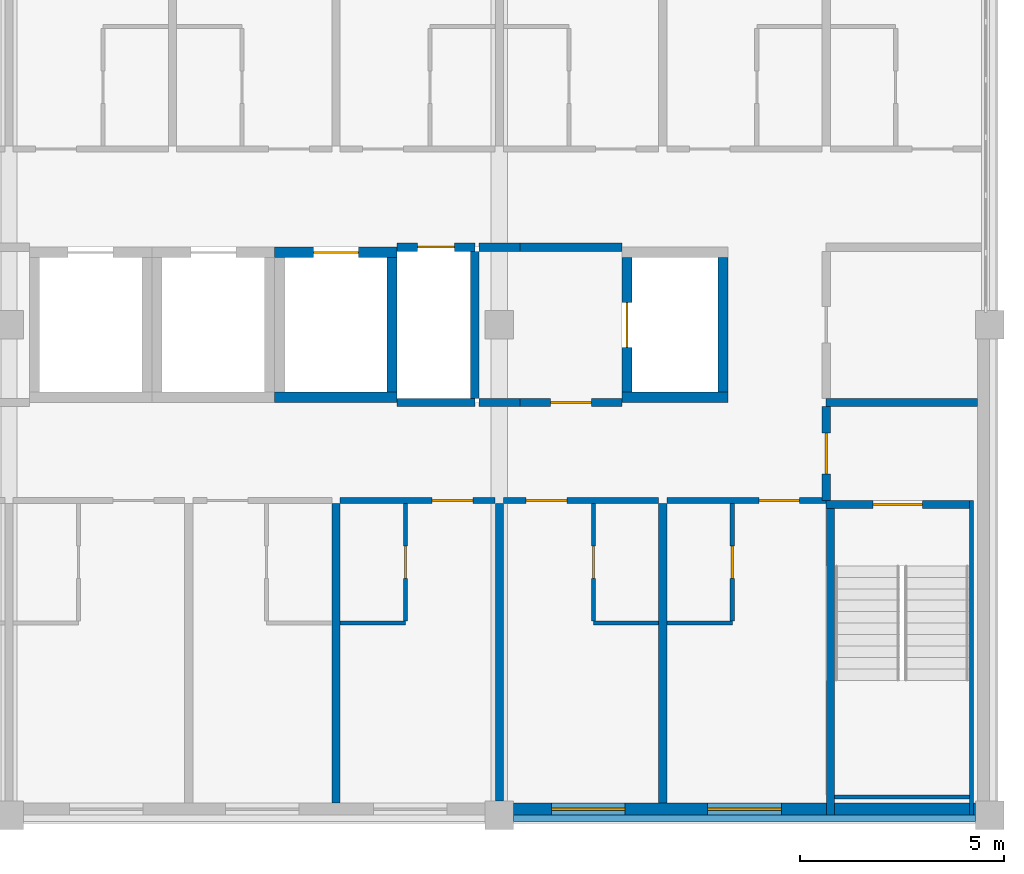
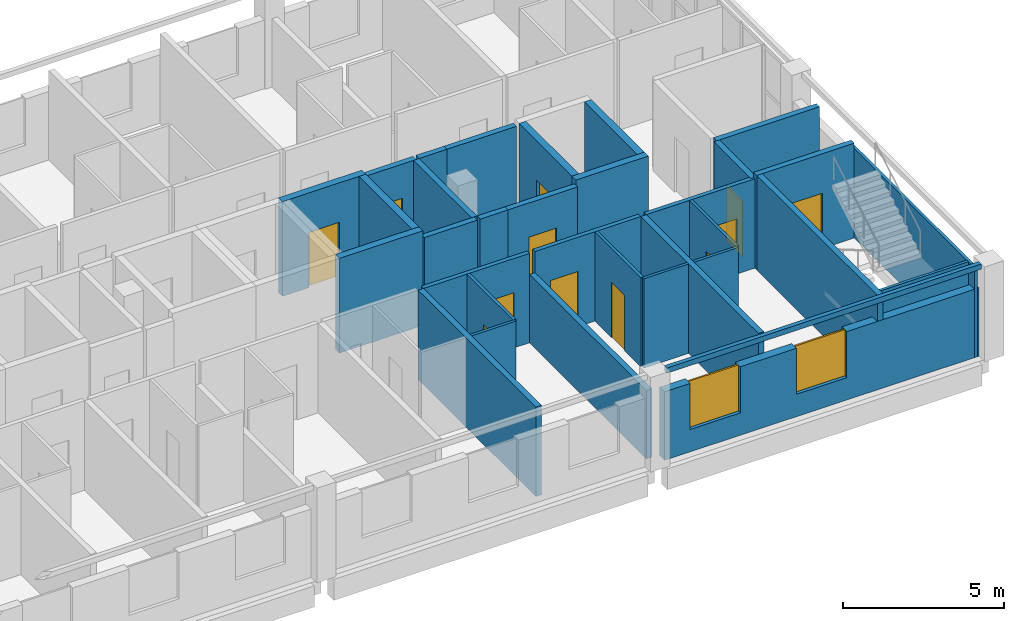
# One storey, part 9 of 11: 33 walls, 12 doors, 2 windows, 14 openings.
"""IFC4 building model written with IfcOpenShell, lengths in metres."""

from ifc_helpers import new_model, si_unit, direction, frame, frame_2d, origin, place, context, subcontext, project, spatial, rectangle, extrude, material, layer, layer_set, type_object, element, fill, save


model = new_model("IFC4")

# Units and contexts
model_context = context("Model", 3, precision=1e-05, world=origin(), true_north=direction((0.0, 1.0)))
body_context = subcontext(model_context, "Body", "Model", "MODEL_VIEW")
ifc_project = project(units=[si_unit("LENGTHUNIT", "METRE"), si_unit("AREAUNIT", "SQUARE_METRE"), si_unit("VOLUMEUNIT", "CUBIC_METRE"), si_unit("PLANEANGLEUNIT", "RADIAN"), si_unit("MASSUNIT", "GRAM", prefix="KILO")], contexts=[model_context])

# Site, building, storey
site_placement = place(None, origin())
site = spatial("IfcSite", under=ifc_project, at=site_placement, CompositionType="ELEMENT")
building_placement = place(site_placement, origin())
building = spatial("IfcBuilding", under=site, at=building_placement, Name="Lilac Gate Convention Centre", CompositionType="ELEMENT")
storey_placement = place(building_placement, frame((0.0, 0.0, 57.0)))
storey = spatial("IfcBuildingStorey", under=building, at=storey_placement, Name="L14", CompositionType="ELEMENT", Elevation=57.0)

# Walls
ifc_material_1 = material(Name="Concrete C40", Category="concrete")
ifc_layer_1 = layer(ifc_material_1, 0.10009765625)
ifc_layer_set_1 = layer_set([ifc_layer_1], Name="Concrete C40")
wall_type_1 = type_object("IfcWallType", Name="Core wall 100 C40", PredefinedType="SHEAR", material=ifc_layer_set_1)
wall_1_placement = place(storey_placement, frame((89.550048828125, 229.699951171875, 0.0), z_axis=(0.0, 0.0, 1.0), x_axis=(0.0, -1.0, 0.0)))
element("IfcWall", 1, at=wall_1_placement, inside=storey, type_object=wall_type_1, Name="CRW10 core wall TS-EX L14 1", PredefinedType="SHEAR", context=body_context, shape_type="SweptSolid", body=[
    extrude(rectangle(XDim=7.699951171875, YDim=0.10009765625, at=frame_2d((3.85009765625, 0.0))), origin(), (0.0, 0.0, 1.0), 3.39990234375),
])
wall_2_placement = place(storey_placement, frame((89.5, 222.449951171875, 0.0), z_axis=(0.0, 0.0, 1.0), x_axis=(-1.0, 0.0, 0.0)))
element("IfcWall", 2, at=wall_2_placement, inside=storey, type_object=wall_type_1, Name="CRW10 core wall TS-EX L14 2", PredefinedType="SHEAR", context=body_context, shape_type="SweptSolid", body=[
    extrude(rectangle(XDim=3.300048828125, YDim=0.10009765625, at=frame_2d((1.64990234375, 0.0))), origin(), (0.0, 0.0, 1.0), 3.39990234375),
])

# Wall, opening, door
ifc_layer_2 = layer(ifc_material_1, 0.199951171875)
ifc_layer_set_2 = layer_set([ifc_layer_2], Name="Concrete C40")
wall_type_2 = type_object("IfcWallType", Name="Core wall 200 C40", PredefinedType="SHEAR", material=ifc_layer_set_2)
wall_3_placement = place(storey_placement, frame((89.5, 229.60009765625, 0.0), z_axis=(0.0, 0.0, 1.0), x_axis=(-1.0, 0.0, 0.0)))
wall_3 = element("IfcWall", 3, at=wall_3_placement, inside=storey, type_object=wall_type_2, Name="CRW7 core wall TS-E L14 1", PredefinedType="SHEAR", context=body_context, shape_type="SweptSolid", body=[
    extrude(rectangle(XDim=3.5, YDim=0.199951171875, at=frame_2d((1.75, 0.0))), origin(), (0.0, 0.0, 1.0), 3.60009765625),
])
opening_1_placement = place(wall_3_placement, frame((1.14990234375, 0.0, 0.0)))
opening_1 = element("IfcOpeningElement", 4, at=opening_1_placement, cuts=wall_3, Name="Opening T13-057", PredefinedType="OPENING", context=body_context, shape_type="SweptSolid", body=[
    extrude(rectangle(XDim=1.199951171875, YDim=2.10009765625, at=frame_2d((0.60009765625, 1.050048828125))), frame((0.0, 0.10986328125, 0.0), z_axis=(0.0, -1.0, 0.0), x_axis=(1.0, 0.0, 0.0)), (0.0, 0.0, 1.0), 0.219970703125),
])
ifc_material_2 = material(Name="Steel Q235B", Category="steel")
door_type_1 = type_object("IfcDoorType", Name="Stair door 1200", OperationType="SINGLE_SWING_LEFT", PredefinedType="DOOR", material=ifc_material_2)
door_1_placement = place(opening_1_placement, origin())
door_1 = element("IfcDoor", 5, at=door_1_placement, inside=storey, type_object=door_type_1, Name="Stair door SE L14", OperationType="SINGLE_SWING_RIGHT", OverallHeight=2.10009765625, OverallWidth=1.199951171875, PredefinedType="DOOR", context=body_context, shape_type="SweptSolid", body=[
    extrude(rectangle(XDim=1.199951171875, YDim=2.10009765625, at=frame_2d((0.60009765625, 1.050048828125))), frame((0.0, 0.02490234375, 0.0), z_axis=(0.0, -1.0, 0.0), x_axis=(1.0, 0.0, 0.0)), (0.0, 0.0, 1.0), 0.050048828125),
])
fill(opening_1, door_1)

# Walls
wall_4_placement = place(storey_placement, frame((86.10009765625, 222.0, 0.0), z_axis=(0.0, 0.0, 1.0), x_axis=(0.0, 1.0, 0.0)))
element("IfcWall", 6, at=wall_4_placement, inside=storey, type_object=wall_type_2, Name="CRW7 core wall TS-E L14 2", PredefinedType="SHEAR", context=body_context, shape_type="SweptSolid", body=[
    extrude(rectangle(XDim=7.5, YDim=0.199951171875, at=frame_2d((3.75, 0.0))), origin(), (0.0, 0.0, 1.0), 3.60009765625),
])
ifc_layer_3 = layer(ifc_material_1, 0.25)
ifc_layer_set_3 = layer_set([ifc_layer_3], Name="Concrete C40")
wall_type_3 = type_object("IfcWallType", Name="Core wall 250 C40", PredefinedType="SHEAR", material=ifc_layer_set_3)
wall_5_placement = place(storey_placement, frame((72.5, 232.22509765625, 0.0), z_axis=(0.0, 0.0, 1.0), x_axis=(1.0, 0.0, 0.0)))
element("IfcWall", 7, at=wall_5_placement, inside=storey, type_object=wall_type_3, Name="CRW5 core wall TC L14 21", PredefinedType="SHEAR", context=body_context, shape_type="SweptSolid", body=[
    extrude(rectangle(XDim=3.0, YDim=0.25, at=frame_2d((1.5, 0.0))), origin(), (0.0, 0.0, 1.0), 3.60009765625),
])

# Wall, opening, door
wall_6_placement = place(storey_placement, frame((72.5, 235.77490234375, 0.0), z_axis=(0.0, 0.0, 1.0), x_axis=(1.0, 0.0, 0.0)))
wall_6 = element("IfcWall", 8, at=wall_6_placement, inside=storey, type_object=wall_type_3, Name="CRW5 core wall TC L14 22", PredefinedType="SHEAR", context=body_context, shape_type="SweptSolid", body=[
    extrude(rectangle(XDim=3.0, YDim=0.25, at=frame_2d((1.5, 0.0))), origin(), (0.0, 0.0, 1.0), 3.60009765625),
])
opening_2_placement = place(wall_6_placement, frame((0.949951171875, 0.0, 0.0)))
opening_2 = element("IfcOpeningElement", 9, at=opening_2_placement, cuts=wall_6, Name="Opening T13-052", PredefinedType="OPENING", context=body_context, shape_type="SweptSolid", body=[
    extrude(rectangle(XDim=1.10009765625, YDim=2.10009765625, at=frame_2d((0.550048828125, 1.050048828125))), frame((0.0, 0.135009765625, 0.0), z_axis=(0.0, -1.0, 0.0), x_axis=(1.0, 0.0, 0.0)), (0.0, 0.0, 1.0), 0.27001953125),
])
ifc_material_3 = material(Name="Stainless steel 304", Category="steel")
door_type_2 = type_object("IfcDoorType", Name="Lift landing door 1100", OperationType="SLIDING_TO_LEFT", PredefinedType="DOOR", material=ifc_material_3)
door_2_placement = place(opening_2_placement, origin())
door_2 = element("IfcDoor", 10, at=door_2_placement, inside=storey, type_object=door_type_2, Name="Lift landing door TP6 L14", OperationType="SLIDING_TO_LEFT", OverallHeight=2.10009765625, OverallWidth=1.10009765625, PredefinedType="DOOR", context=body_context, shape_type="SweptSolid", body=[
    extrude(rectangle(XDim=1.10009765625, YDim=2.10009765625, at=frame_2d((0.550048828125, 1.050048828125))), frame((0.0, 0.02490234375, 0.0), z_axis=(0.0, -1.0, 0.0), x_axis=(1.0, 0.0, 0.0)), (0.0, 0.0, 1.0), 0.050048828125),
])
fill(opening_2, door_2)

# Walls
wall_7_placement = place(storey_placement, frame((75.375, 232.35009765625, 0.0), z_axis=(0.0, 0.0, 1.0), x_axis=(0.0, 1.0, 0.0)))
element("IfcWall", 11, at=wall_7_placement, inside=storey, type_object=wall_type_3, Name="CRW5 core wall TC L14 24", PredefinedType="SHEAR", context=body_context, shape_type="SweptSolid", body=[
    extrude(rectangle(XDim=3.2998046875, YDim=0.25, at=frame_2d((1.64990234375, 0.0))), origin(), (0.0, 0.0, 1.0), 3.60009765625),
])
wall_8_placement = place(storey_placement, frame((81.0, 232.22509765625, 0.0), z_axis=(0.0, 0.0, 1.0), x_axis=(1.0, 0.0, 0.0)))
element("IfcWall", 12, at=wall_8_placement, inside=storey, type_object=wall_type_3, Name="CRW5 core wall TC L14 33", PredefinedType="SHEAR", context=body_context, shape_type="SweptSolid", body=[
    extrude(rectangle(XDim=2.60009765625, YDim=0.25, at=frame_2d((1.300048828125, 0.0))), origin(), (0.0, 0.0, 1.0), 3.60009765625),
])

# Wall, opening, door
wall_9_placement = place(storey_placement, frame((81.125, 232.35009765625, 0.0), z_axis=(0.0, 0.0, 1.0), x_axis=(0.0, 1.0, 0.0)))
wall_9 = element("IfcWall", 13, at=wall_9_placement, inside=storey, type_object=wall_type_3, Name="CRW5 core wall TC L14 35", PredefinedType="SHEAR", context=body_context, shape_type="SweptSolid", body=[
    extrude(rectangle(XDim=3.2998046875, YDim=0.25, at=frame_2d((1.64990234375, 0.0))), origin(), (0.0, 0.0, 1.0), 3.60009765625),
])
opening_3_placement = place(wall_9_placement, frame((1.10009765625, 0.0, 0.0)))
opening_3 = element("IfcOpeningElement", 14, at=opening_3_placement, cuts=wall_9, Name="Opening T13-055", PredefinedType="OPENING", context=body_context, shape_type="SweptSolid", body=[
    extrude(rectangle(XDim=1.10009765625, YDim=2.10009765625, at=frame_2d((0.550048828125, 1.050048828125))), frame((0.0, 0.135009765625, 0.0), z_axis=(0.0, -1.0, 0.0), x_axis=(1.0, 0.0, 0.0)), (0.0, 0.0, 1.0), 0.27001953125),
])
door_3_placement = place(opening_3_placement, origin())
door_3 = element("IfcDoor", 15, at=door_3_placement, inside=storey, type_object=door_type_2, Name="Lift landing door TF1 L14", OperationType="SLIDING_TO_LEFT", OverallHeight=2.10009765625, OverallWidth=1.10009765625, PredefinedType="DOOR", context=body_context, shape_type="SweptSolid", body=[
    extrude(rectangle(XDim=1.10009765625, YDim=2.10009765625, at=frame_2d((0.550048828125, 1.050048828125))), frame((0.0, 0.02490234375, 0.0), z_axis=(0.0, -1.0, 0.0), x_axis=(1.0, 0.0, 0.0)), (0.0, 0.0, 1.0), 0.050048828125),
])
fill(opening_3, door_3)

# Wall
wall_10_placement = place(storey_placement, frame((83.47509765625, 232.35009765625, 0.0), z_axis=(0.0, 0.0, 1.0), x_axis=(0.0, 1.0, 0.0)))
element("IfcWall", 16, at=wall_10_placement, inside=storey, type_object=wall_type_3, Name="CRW5 core wall TC L14 36", PredefinedType="SHEAR", context=body_context, shape_type="SweptSolid", body=[
    extrude(rectangle(XDim=3.2998046875, YDim=0.25, at=frame_2d((1.64990234375, 0.0))), origin(), (0.0, 0.0, 1.0), 3.60009765625),
])

# Wall, opening, door
ifc_material_4 = material(Name="Gypsum board on steel stud", Category="steel")
ifc_layer_4 = layer(ifc_material_4, 0.14990234375)
ifc_layer_set_4 = layer_set([ifc_layer_4], Name="Gypsum board on steel stud")
wall_type_4 = type_object("IfcWallType", Name="Corridor wall 150", PredefinedType="PARTITIONING", material=ifc_layer_set_4)
wall_11_placement = place(storey_placement, frame((77.89990234375, 229.699951171875, 0.0), z_axis=(0.0, 0.0, 1.0), x_axis=(-1.0, 0.0, 0.0)))
wall_11 = element("IfcWall", 17, at=wall_11_placement, inside=storey, type_object=wall_type_4, Name="Corridor wall 150 front 1408", PredefinedType="PARTITIONING", context=body_context, shape_type="SweptSolid", body=[
    extrude(rectangle(XDim=3.7998046875, YDim=0.14990234375, at=frame_2d((1.89990234375, 0.0))), origin(), (0.0, 0.0, 1.0), 3.39990234375),
])
opening_4_placement = place(wall_11_placement, frame((0.550048828125, 0.0, 0.0)))
opening_4 = element("IfcOpeningElement", 18, at=opening_4_placement, cuts=wall_11, Name="Opening T13-022", PredefinedType="OPENING", context=body_context, shape_type="SweptSolid", body=[
    extrude(rectangle(XDim=1.0, YDim=2.10009765625, at=frame_2d((0.5, 1.050048828125))), frame((0.0, 0.0849609375, 0.0), z_axis=(0.0, -1.0, 0.0), x_axis=(1.0, 0.0, 0.0)), (0.0, 0.0, 1.0), 0.169921875),
])
ifc_material_5 = material(Name="Timber", Category="wood")
door_type_3 = type_object("IfcDoorType", Name="Guest room entrance door 1000", OperationType="SINGLE_SWING_LEFT", PredefinedType="DOOR", material=ifc_material_5)
door_4_placement = place(opening_4_placement, origin())
door_4 = element("IfcDoor", 19, at=door_4_placement, inside=storey, type_object=door_type_3, Name="Guest room door 1408", OperationType="SINGLE_SWING_LEFT", OverallHeight=2.10009765625, OverallWidth=1.0, PredefinedType="DOOR", context=body_context, shape_type="SweptSolid", body=[
    extrude(rectangle(XDim=1.0, YDim=2.10009765625, at=frame_2d((0.5, 1.050048828125))), frame((0.0, 0.02490234375, 0.0), z_axis=(0.0, -1.0, 0.0), x_axis=(1.0, 0.0, 0.0)), (0.0, 0.0, 1.0), 0.050048828125),
])
fill(opening_4, door_4)

wall_12_placement = place(storey_placement, frame((81.89990234375, 229.699951171875, 0.0), z_axis=(0.0, 0.0, 1.0), x_axis=(-1.0, 0.0, 0.0)))
wall_12 = element("IfcWall", 20, at=wall_12_placement, inside=storey, type_object=wall_type_4, Name="Corridor wall 150 front 1409", PredefinedType="PARTITIONING", context=body_context, shape_type="SweptSolid", body=[
    extrude(rectangle(XDim=3.7998046875, YDim=0.14990234375, at=frame_2d((1.89990234375, 0.0))), origin(), (0.0, 0.0, 1.0), 3.39990234375),
])
opening_5_placement = place(wall_12_placement, frame((2.25, 0.0, 0.0)))
opening_5 = element("IfcOpeningElement", 21, at=opening_5_placement, cuts=wall_12, Name="Opening T13-024", PredefinedType="OPENING", context=body_context, shape_type="SweptSolid", body=[
    extrude(rectangle(XDim=1.0, YDim=2.10009765625, at=frame_2d((0.5, 1.050048828125))), frame((0.0, 0.0849609375, 0.0), z_axis=(0.0, -1.0, 0.0), x_axis=(1.0, 0.0, 0.0)), (0.0, 0.0, 1.0), 0.169921875),
])
door_5_placement = place(opening_5_placement, origin())
door_5 = element("IfcDoor", 22, at=door_5_placement, inside=storey, type_object=door_type_3, Name="Guest room door 1409", OperationType="SINGLE_SWING_LEFT", OverallHeight=2.10009765625, OverallWidth=1.0, PredefinedType="DOOR", context=body_context, shape_type="SweptSolid", body=[
    extrude(rectangle(XDim=1.0, YDim=2.10009765625, at=frame_2d((0.5, 1.050048828125))), frame((0.0, 0.02490234375, 0.0), z_axis=(0.0, -1.0, 0.0), x_axis=(1.0, 0.0, 0.0)), (0.0, 0.0, 1.0), 0.050048828125),
])
fill(opening_5, door_5)

wall_13_placement = place(storey_placement, frame((86.0, 229.699951171875, 0.0), z_axis=(0.0, 0.0, 1.0), x_axis=(-1.0, 0.0, 0.0)))
wall_13 = element("IfcWall", 23, at=wall_13_placement, inside=storey, type_object=wall_type_4, Name="Corridor wall 150 front 1410", PredefinedType="PARTITIONING", context=body_context, shape_type="SweptSolid", body=[
    extrude(rectangle(XDim=3.89990234375, YDim=0.14990234375, at=frame_2d((1.949951171875, 0.0))), origin(), (0.0, 0.0, 1.0), 3.39990234375),
])
opening_6_placement = place(wall_13_placement, frame((0.64990234375, 0.0, 0.0)))
opening_6 = element("IfcOpeningElement", 24, at=opening_6_placement, cuts=wall_13, Name="Opening T13-026", PredefinedType="OPENING", context=body_context, shape_type="SweptSolid", body=[
    extrude(rectangle(XDim=1.0, YDim=2.10009765625, at=frame_2d((0.5, 1.050048828125))), frame((0.0, 0.0849609375, 0.0), z_axis=(0.0, -1.0, 0.0), x_axis=(1.0, 0.0, 0.0)), (0.0, 0.0, 1.0), 0.169921875),
])
door_6_placement = place(opening_6_placement, origin())
door_6 = element("IfcDoor", 25, at=door_6_placement, inside=storey, type_object=door_type_3, Name="Guest room door 1410", OperationType="SINGLE_SWING_LEFT", OverallHeight=2.10009765625, OverallWidth=1.0, PredefinedType="DOOR", context=body_context, shape_type="SweptSolid", body=[
    extrude(rectangle(XDim=1.0, YDim=2.10009765625, at=frame_2d((0.5, 1.050048828125))), frame((0.0, 0.02490234375, 0.0), z_axis=(0.0, -1.0, 0.0), x_axis=(1.0, 0.0, 0.0)), (0.0, 0.0, 1.0), 0.050048828125),
])
fill(opening_6, door_6)

# Wall
ifc_layer_5 = layer(ifc_material_4, 0.10009765625)
ifc_layer_set_5 = layer_set([ifc_layer_5], Name="Gypsum board on steel stud")
wall_type_5 = type_object("IfcWallType", Name="En-suite wall 100", PredefinedType="PARTITIONING", material=ifc_layer_set_5)
wall_14_placement = place(storey_placement, frame((74.10009765625, 226.699951171875, 0.0), z_axis=(0.0, 0.0, 1.0), x_axis=(1.0, 0.0, 0.0)))
element("IfcWall", 26, at=wall_14_placement, inside=storey, type_object=wall_type_5, Name="En-suite wall 100 bath 1408", PredefinedType="PARTITIONING", context=body_context, shape_type="SweptSolid", body=[
    extrude(rectangle(XDim=1.599853515625, YDim=0.10009765625, at=frame_2d((0.7998046875, 0.0))), origin(), (0.0, 0.0, 1.0), 3.39990234375),
])

# Wall, opening, door
wall_15_placement = place(storey_placement, frame((75.699951171875, 229.625, 0.0), z_axis=(0.0, 0.0, 1.0), x_axis=(0.0, -1.0, 0.0)))
wall_15 = element("IfcWall", 27, at=wall_15_placement, inside=storey, type_object=wall_type_5, Name="En-suite wall 100 bath side 1408", PredefinedType="PARTITIONING", context=body_context, shape_type="SweptSolid", body=[
    extrude(rectangle(XDim=2.875, YDim=0.10009765625, at=frame_2d((1.4375, 0.0))), origin(), (0.0, 0.0, 1.0), 3.39990234375),
])
opening_7_placement = place(wall_15_placement, frame((1.03759765625, 0.0, 0.0)))
opening_7 = element("IfcOpeningElement", 28, at=opening_7_placement, cuts=wall_15, Name="Opening T13-023", PredefinedType="OPENING", context=body_context, shape_type="SweptSolid", body=[
    extrude(rectangle(XDim=0.800048828125, YDim=2.10009765625, at=frame_2d((0.39990234375, 1.050048828125))), frame((0.0, 0.06005859375, 0.0), z_axis=(0.0, -1.0, 0.0), x_axis=(1.0, 0.0, 0.0)), (0.0, 0.0, 1.0), 0.1201171875),
])
door_type_4 = type_object("IfcDoorType", Name="En-suite door 800", OperationType="SINGLE_SWING_LEFT", PredefinedType="DOOR", material=ifc_material_5)
door_7_placement = place(opening_7_placement, origin())
door_7 = element("IfcDoor", 29, at=door_7_placement, inside=storey, type_object=door_type_4, Name="En-suite door 1408", OperationType="SINGLE_SWING_LEFT", OverallHeight=2.10009765625, OverallWidth=0.800048828125, PredefinedType="DOOR", context=body_context, shape_type="SweptSolid", body=[
    extrude(rectangle(XDim=0.800048828125, YDim=2.10009765625, at=frame_2d((0.39990234375, 1.050048828125))), frame((0.0, 0.02490234375, 0.0), z_axis=(0.0, -1.0, 0.0), x_axis=(1.0, 0.0, 0.0)), (0.0, 0.0, 1.0), 0.050048828125),
])
fill(opening_7, door_7)

# Wall
wall_16_placement = place(storey_placement, frame((80.300048828125, 226.699951171875, 0.0), z_axis=(0.0, 0.0, 1.0), x_axis=(1.0, 0.0, 0.0)))
element("IfcWall", 30, at=wall_16_placement, inside=storey, type_object=wall_type_5, Name="En-suite wall 100 bath 1409", PredefinedType="PARTITIONING", context=body_context, shape_type="SweptSolid", body=[
    extrude(rectangle(XDim=1.599853515625, YDim=0.10009765625, at=frame_2d((0.7998046875, 0.0))), origin(), (0.0, 0.0, 1.0), 3.39990234375),
])

# Wall, opening, door
wall_17_placement = place(storey_placement, frame((80.300048828125, 226.75, 0.0), z_axis=(0.0, 0.0, 1.0), x_axis=(0.0, 1.0, 0.0)))
wall_17 = element("IfcWall", 31, at=wall_17_placement, inside=storey, type_object=wall_type_5, Name="En-suite wall 100 bath side 1409", PredefinedType="PARTITIONING", context=body_context, shape_type="SweptSolid", body=[
    extrude(rectangle(XDim=2.875, YDim=0.10009765625, at=frame_2d((1.4375, 0.0))), origin(), (0.0, 0.0, 1.0), 3.39990234375),
])
opening_8_placement = place(wall_17_placement, frame((1.03759765625, 0.0, 0.0)))
opening_8 = element("IfcOpeningElement", 32, at=opening_8_placement, cuts=wall_17, Name="Opening T13-025", PredefinedType="OPENING", context=body_context, shape_type="SweptSolid", body=[
    extrude(rectangle(XDim=0.800048828125, YDim=2.10009765625, at=frame_2d((0.39990234375, 1.050048828125))), frame((0.0, 0.06005859375, 0.0), z_axis=(0.0, -1.0, 0.0), x_axis=(1.0, 0.0, 0.0)), (0.0, 0.0, 1.0), 0.1201171875),
])
door_8_placement = place(opening_8_placement, origin())
door_8 = element("IfcDoor", 33, at=door_8_placement, inside=storey, type_object=door_type_4, Name="En-suite door 1409", OperationType="SINGLE_SWING_RIGHT", OverallHeight=2.10009765625, OverallWidth=0.800048828125, PredefinedType="DOOR", context=body_context, shape_type="SweptSolid", body=[
    extrude(rectangle(XDim=0.800048828125, YDim=2.10009765625, at=frame_2d((0.39990234375, 1.050048828125))), frame((0.0, 0.02490234375, 0.0), z_axis=(0.0, -1.0, 0.0), x_axis=(1.0, 0.0, 0.0)), (0.0, 0.0, 1.0), 0.050048828125),
])
fill(opening_8, door_8)

# Wall
wall_18_placement = place(storey_placement, frame((82.10009765625, 226.699951171875, 0.0), z_axis=(0.0, 0.0, 1.0), x_axis=(1.0, 0.0, 0.0)))
element("IfcWall", 34, at=wall_18_placement, inside=storey, type_object=wall_type_5, Name="En-suite wall 100 bath 1410", PredefinedType="PARTITIONING", context=body_context, shape_type="SweptSolid", body=[
    extrude(rectangle(XDim=1.599853515625, YDim=0.10009765625, at=frame_2d((0.7998046875, 0.0))), origin(), (0.0, 0.0, 1.0), 3.39990234375),
])

# Wall, opening, door
wall_19_placement = place(storey_placement, frame((83.699951171875, 229.625, 0.0), z_axis=(0.0, 0.0, 1.0), x_axis=(0.0, -1.0, 0.0)))
wall_19 = element("IfcWall", 35, at=wall_19_placement, inside=storey, type_object=wall_type_5, Name="En-suite wall 100 bath side 1410", PredefinedType="PARTITIONING", context=body_context, shape_type="SweptSolid", body=[
    extrude(rectangle(XDim=2.875, YDim=0.10009765625, at=frame_2d((1.4375, 0.0))), origin(), (0.0, 0.0, 1.0), 3.39990234375),
])
opening_9_placement = place(wall_19_placement, frame((1.03759765625, 0.0, 0.0)))
opening_9 = element("IfcOpeningElement", 36, at=opening_9_placement, cuts=wall_19, Name="Opening T13-027", PredefinedType="OPENING", context=body_context, shape_type="SweptSolid", body=[
    extrude(rectangle(XDim=0.800048828125, YDim=2.10009765625, at=frame_2d((0.39990234375, 1.050048828125))), frame((0.0, 0.06005859375, 0.0), z_axis=(0.0, -1.0, 0.0), x_axis=(1.0, 0.0, 0.0)), (0.0, 0.0, 1.0), 0.1201171875),
])
door_9_placement = place(opening_9_placement, origin())
door_9 = element("IfcDoor", 37, at=door_9_placement, inside=storey, type_object=door_type_4, Name="En-suite door 1410", OperationType="SINGLE_SWING_LEFT", OverallHeight=2.10009765625, OverallWidth=0.800048828125, PredefinedType="DOOR", context=body_context, shape_type="SweptSolid", body=[
    extrude(rectangle(XDim=0.800048828125, YDim=2.10009765625, at=frame_2d((0.39990234375, 1.050048828125))), frame((0.0, 0.02490234375, 0.0), z_axis=(0.0, -1.0, 0.0), x_axis=(1.0, 0.0, 0.0)), (0.0, 0.0, 1.0), 0.050048828125),
])
fill(opening_9, door_9)

# Walls
ifc_layer_6 = layer(ifc_material_4, 0.199951171875)
ifc_layer_set_6 = layer_set([ifc_layer_6], Name="Gypsum board on steel stud")
wall_type_6 = type_object("IfcWallType", Name="Guest room party wall 200", PredefinedType="PARTITIONING", material=ifc_layer_set_6)
wall_20_placement = place(storey_placement, frame((74.0, 222.2998046875, 0.0), z_axis=(0.0, 0.0, 1.0), x_axis=(0.0, 1.0, 0.0)))
element("IfcWall", 38, at=wall_20_placement, inside=storey, type_object=wall_type_6, Name="Guest room party wall 200 party 74.0", PredefinedType="PARTITIONING", context=body_context, shape_type="SweptSolid", body=[
    extrude(rectangle(XDim=7.3251953125, YDim=0.199951171875, at=frame_2d((3.66259765625, 0.0))), origin(), (0.0, 0.0, 1.0), 3.39990234375),
])
wall_21_placement = place(storey_placement, frame((78.0, 222.35009765625, 0.0), z_axis=(0.0, 0.0, 1.0), x_axis=(0.0, 1.0, 0.0)))
element("IfcWall", 39, at=wall_21_placement, inside=storey, type_object=wall_type_6, Name="Guest room party wall 200 party 78.0", PredefinedType="PARTITIONING", context=body_context, shape_type="SweptSolid", body=[
    extrude(rectangle(XDim=7.27490234375, YDim=0.199951171875, at=frame_2d((3.637451171875, 0.0))), origin(), (0.0, 0.0, 1.0), 2.60009765625),
])
wall_22_placement = place(storey_placement, frame((82.0, 222.2998046875, 0.0), z_axis=(0.0, 0.0, 1.0), x_axis=(0.0, 1.0, 0.0)))
element("IfcWall", 40, at=wall_22_placement, inside=storey, type_object=wall_type_6, Name="Guest room party wall 200 party 82.0", PredefinedType="PARTITIONING", context=body_context, shape_type="SweptSolid", body=[
    extrude(rectangle(XDim=7.3251953125, YDim=0.199951171875, at=frame_2d((3.66259765625, 0.0))), origin(), (0.0, 0.0, 1.0), 3.39990234375),
])

# Wall, opening, door
ifc_layer_7 = layer(ifc_material_4, 0.199951171875)
ifc_layer_set_7 = layer_set([ifc_layer_7], Name="Gypsum board on steel stud")
wall_type_7 = type_object("IfcWallType", Name="Lobby wall 200", PredefinedType="PARTITIONING", material=ifc_layer_set_7)
wall_23_placement = place(storey_placement, frame((78.5, 232.10009765625, 0.0), z_axis=(0.0, 0.0, 1.0), x_axis=(1.0, 0.0, 0.0)))
wall_23 = element("IfcWall", 41, at=wall_23_placement, inside=storey, type_object=wall_type_7, Name="Lobby wall 200 FFL-S", PredefinedType="PARTITIONING", context=body_context, shape_type="SweptSolid", body=[
    extrude(rectangle(XDim=2.5, YDim=0.199951171875, at=frame_2d((1.25, 0.0))), origin(), (0.0, 0.0, 1.0), 3.39990234375),
])
opening_10_placement = place(wall_23_placement, frame((0.75, 0.0, 0.0)))
opening_10 = element("IfcOpeningElement", 42, at=opening_10_placement, cuts=wall_23, Name="Opening T13-004", PredefinedType="OPENING", context=body_context, shape_type="SweptSolid", body=[
    extrude(rectangle(XDim=1.0, YDim=2.10009765625, at=frame_2d((0.5, 1.050048828125))), frame((0.0, 0.10986328125, 0.0), z_axis=(0.0, -1.0, 0.0), x_axis=(1.0, 0.0, 0.0)), (0.0, 0.0, 1.0), 0.219970703125),
])
door_type_5 = type_object("IfcDoorType", Name="Lobby door 1000", OperationType="SINGLE_SWING_LEFT", PredefinedType="DOOR", material=ifc_material_2)
door_10_placement = place(opening_10_placement, origin())
door_10 = element("IfcDoor", 43, at=door_10_placement, inside=storey, type_object=door_type_5, Name="Firefighting lobby door", OperationType="SINGLE_SWING_RIGHT", OverallHeight=2.10009765625, OverallWidth=1.0, PredefinedType="DOOR", context=body_context, shape_type="SweptSolid", body=[
    extrude(rectangle(XDim=1.0, YDim=2.10009765625, at=frame_2d((0.5, 1.050048828125))), frame((0.0, 0.02490234375, 0.0), z_axis=(0.0, -1.0, 0.0), x_axis=(1.0, 0.0, 0.0)), (0.0, 0.0, 1.0), 0.050048828125),
])
fill(opening_10, door_10)

# Walls
wall_24_placement = place(storey_placement, frame((86.0, 232.10009765625, 0.0), z_axis=(0.0, 0.0, 1.0), x_axis=(1.0, 0.0, 0.0)))
element("IfcWall", 44, at=wall_24_placement, inside=storey, type_object=wall_type_7, Name="Lobby wall 200 STL-N", PredefinedType="PARTITIONING", context=body_context, shape_type="SweptSolid", body=[
    extrude(rectangle(XDim=3.7001953125, YDim=0.199951171875, at=frame_2d((1.85009765625, 0.0))), origin(), (0.0, 0.0, 1.0), 3.39990234375),
])
wall_25_placement = place(storey_placement, frame((78.5, 235.89990234375, 0.0), z_axis=(0.0, 0.0, 1.0), x_axis=(1.0, 0.0, 0.0)))
element("IfcWall", 45, at=wall_25_placement, inside=storey, type_object=wall_type_7, Name="Lobby wall 200 FFL-N", PredefinedType="PARTITIONING", context=body_context, shape_type="SweptSolid", body=[
    extrude(rectangle(XDim=2.5, YDim=0.199951171875, at=frame_2d((1.25, 0.0))), origin(), (0.0, 0.0, 1.0), 3.39990234375),
])

# Wall, opening, door
wall_26_placement = place(storey_placement, frame((86.0, 232.0, 0.0), z_axis=(0.0, 0.0, 1.0), x_axis=(0.0, -1.0, 0.0)))
wall_26 = element("IfcWall", 46, at=wall_26_placement, inside=storey, type_object=wall_type_7, Name="Lobby wall 200 STL-SE-W", PredefinedType="PARTITIONING", context=body_context, shape_type="SweptSolid", body=[
    extrude(rectangle(XDim=2.300048828125, YDim=0.199951171875, at=frame_2d((1.14990234375, 0.0))), origin(), (0.0, 0.0, 1.0), 3.39990234375),
])
opening_11_placement = place(wall_26_placement, frame((0.64990234375, 0.0, 0.0)))
opening_11 = element("IfcOpeningElement", 47, at=opening_11_placement, cuts=wall_26, Name="Opening T13-007", PredefinedType="OPENING", context=body_context, shape_type="SweptSolid", body=[
    extrude(rectangle(XDim=1.0, YDim=2.10009765625, at=frame_2d((0.5, 1.050048828125))), frame((0.0, 0.10986328125, 0.0), z_axis=(0.0, -1.0, 0.0), x_axis=(1.0, 0.0, 0.0)), (0.0, 0.0, 1.0), 0.219970703125),
])
door_11_placement = place(opening_11_placement, origin())
door_11 = element("IfcDoor", 48, at=door_11_placement, inside=storey, type_object=door_type_5, Name="Stair lobby door SE", OperationType="SINGLE_SWING_LEFT", OverallHeight=2.10009765625, OverallWidth=1.0, PredefinedType="DOOR", context=body_context, shape_type="SweptSolid", body=[
    extrude(rectangle(XDim=1.0, YDim=2.10009765625, at=frame_2d((0.5, 1.050048828125))), frame((0.0, 0.02490234375, 0.0), z_axis=(0.0, -1.0, 0.0), x_axis=(1.0, 0.0, 0.0)), (0.0, 0.0, 1.0), 0.050048828125),
])
fill(opening_11, door_11)

# Wall
ifc_material_6 = material(Name="Concrete C40 precast", Category="concrete")
ifc_layer_8 = layer(ifc_material_6, 0.1298828125)
ifc_material_7 = material(Name="Ochre mineral render")
ifc_layer_9 = layer(ifc_material_7, 0.02001953125)
ifc_layer_set_8 = layer_set([ifc_layer_8, ifc_layer_9], Name="Concrete C40 precast, Ochre mineral render")
wall_type_8 = type_object("IfcWallType", Name="Precast band ochre 150", PredefinedType="STANDARD", material=ifc_layer_set_8)
wall_27_placement = place(storey_placement, frame((78.35009765625, 221.925048828125, 3.39990234375), z_axis=(0.0, 0.0, 1.0), x_axis=(1.0, 0.0, 0.0)))
element("IfcWall", 49, at=wall_27_placement, inside=storey, type_object=wall_type_8, Name="Precast band S L14 4", PredefinedType="STANDARD", context=body_context, shape_type="SweptSolid", body=[
    extrude(rectangle(XDim=11.2998046875, YDim=0.14990234375, at=frame_2d((5.64990234375, 0.0))), origin(), (0.0, 0.0, 1.0), 0.2001953125),
])

# Wall, openings, windows
ifc_material_8 = material(Name="Terracotta glazed cladding", Category="masonry")
ifc_layer_10 = layer(ifc_material_8, 0.02001953125)
ifc_layer_11 = layer(ifc_material_6, 0.06005859375)
ifc_material_9 = material(Name="Ventilated air cavity")
ifc_layer_12 = layer(ifc_material_9, 0.030029296875)
ifc_material_10 = material(Name="Mineral wool insulation")
ifc_layer_13 = layer(ifc_material_10, 0.1201171875)
ifc_material_11 = material(Name="Steel stud Q345 and gypsum lining", Category="steel")
ifc_layer_14 = layer(ifc_material_11, 0.070068359375)
ifc_layer_set_9 = layer_set([ifc_layer_10, ifc_layer_11, ifc_layer_12, ifc_layer_13, ifc_layer_14], Name="Terracotta glazed cladding, Concrete C40 precast, Ventilated air cavity, Mineral wool insulation, Steel stud Q345 and gypsum lining")
wall_type_9 = type_object("IfcWallType", Name="Precast panel wall terracotta 300", PredefinedType="STANDARD", material=ifc_layer_set_9)
wall_28_placement = place(storey_placement, frame((78.35009765625, 222.14990234375, 0.0), z_axis=(0.0, 0.0, 1.0), x_axis=(1.0, 0.0, 0.0)))
wall_28 = element("IfcWall", 50, at=wall_28_placement, inside=storey, type_object=wall_type_9, Name="External wall S L14 4", PredefinedType="STANDARD", context=body_context, shape_type="SweptSolid", body=[
    extrude(rectangle(XDim=11.2998046875, YDim=0.300048828125, at=frame_2d((5.64990234375, 0.0))), origin(), (0.0, 0.0, 1.0), 2.60009765625),
])
opening_12_placement = place(wall_28_placement, frame((0.925048828125, 0.0, 0.85009765625)))
opening_12 = element("IfcOpeningElement", 51, at=opening_12_placement, cuts=wall_28, Name="Opening W1", PredefinedType="OPENING", context=body_context, shape_type="SweptSolid", body=[
    extrude(rectangle(XDim=1.800048828125, YDim=1.75, at=frame_2d((0.89990234375, 0.875))), frame((0.0, 0.159912109375, 0.0), z_axis=(0.0, -1.0, 0.0), x_axis=(1.0, 0.0, 0.0)), (0.0, 0.0, 1.0), 0.320068359375),
])
opening_13_placement = place(wall_28_placement, frame((4.75, 0.0, 0.85009765625)))
opening_13 = element("IfcOpeningElement", 52, at=opening_13_placement, cuts=wall_28, Name="Opening W1", PredefinedType="OPENING", context=body_context, shape_type="SweptSolid", body=[
    extrude(rectangle(XDim=1.800048828125, YDim=1.75, at=frame_2d((0.89990234375, 0.875))), frame((0.0, 0.159912109375, 0.0), z_axis=(0.0, -1.0, 0.0), x_axis=(1.0, 0.0, 0.0)), (0.0, 0.0, 1.0), 0.320068359375),
])
ifc_material_12 = material(Name="Aluminium framed double glazing", Category="aluminium")
window_type = type_object("IfcWindowType", Name="Guest room window 1800 x 1750", PartitioningType="DOUBLE_PANEL_VERTICAL", PredefinedType="WINDOW", material=ifc_material_12)
window_1_placement = place(opening_12_placement, origin())
window_1 = element("IfcWindow", 53, at=window_1_placement, inside=storey, type_object=window_type, Name="Window Guest S L14", OverallHeight=1.75, OverallWidth=1.800048828125, PartitioningType="SINGLE_PANEL", PredefinedType="WINDOW", context=body_context, shape_type="SweptSolid", body=[
    extrude(rectangle(XDim=1.800048828125, YDim=1.75, at=frame_2d((0.89990234375, 0.875))), frame((0.0, 0.030029296875, 0.0), z_axis=(0.0, -1.0, 0.0), x_axis=(1.0, 0.0, 0.0)), (0.0, 0.0, 1.0), 0.06005859375),
])
fill(opening_12, window_1)
window_2_placement = place(opening_13_placement, origin())
window_2 = element("IfcWindow", 54, at=window_2_placement, inside=storey, type_object=window_type, Name="Window Guest S L14", OverallHeight=1.75, OverallWidth=1.800048828125, PartitioningType="SINGLE_PANEL", PredefinedType="WINDOW", context=body_context, shape_type="SweptSolid", body=[
    extrude(rectangle(XDim=1.800048828125, YDim=1.75, at=frame_2d((0.89990234375, 0.875))), frame((0.0, 0.030029296875, 0.0), z_axis=(0.0, -1.0, 0.0), x_axis=(1.0, 0.0, 0.0)), (0.0, 0.0, 1.0), 0.06005859375),
])
fill(opening_13, window_2)

# Walls
ifc_layer_15 = layer(ifc_material_4, 0.199951171875)
ifc_layer_set_10 = layer_set([ifc_layer_15], Name="Gypsum board on steel stud")
wall_type_10 = type_object("IfcWallType", Name="Riser and store wall 200", PredefinedType="PARTITIONING", material=ifc_layer_set_10)
wall_29_placement = place(storey_placement, frame((75.5, 232.10009765625, 0.0), z_axis=(0.0, 0.0, 1.0), x_axis=(1.0, 0.0, 0.0)))
element("IfcWall", 55, at=wall_29_placement, inside=storey, type_object=wall_type_10, Name="Riser and store wall 200 RS2-S", PredefinedType="PARTITIONING", context=body_context, shape_type="SweptSolid", body=[
    extrude(rectangle(XDim=1.89990234375, YDim=0.199951171875, at=frame_2d((0.949951171875, 0.0))), origin(), (0.0, 0.0, 1.0), 3.39990234375),
])
wall_30_placement = place(storey_placement, frame((77.5, 232.10009765625, 0.0), z_axis=(0.0, 0.0, 1.0), x_axis=(1.0, 0.0, 0.0)))
element("IfcWall", 56, at=wall_30_placement, inside=storey, type_object=wall_type_10, Name="Riser and store wall 200 NICHE3-S", PredefinedType="PARTITIONING", context=body_context, shape_type="SweptSolid", body=[
    extrude(rectangle(XDim=1.0, YDim=0.199951171875, at=frame_2d((0.5, 0.0))), origin(), (0.0, 0.0, 1.0), 3.39990234375),
])

# Wall, opening, door
wall_31_placement = place(storey_placement, frame((77.39990234375, 235.89990234375, 0.0), z_axis=(0.0, 0.0, 1.0), x_axis=(-1.0, 0.0, 0.0)))
wall_31 = element("IfcWall", 57, at=wall_31_placement, inside=storey, type_object=wall_type_10, Name="Riser and store wall 200 RS2-N", PredefinedType="PARTITIONING", context=body_context, shape_type="SweptSolid", body=[
    extrude(rectangle(XDim=1.89990234375, YDim=0.199951171875, at=frame_2d((0.949951171875, 0.0))), origin(), (0.0, 0.0, 1.0), 3.39990234375),
])
opening_14_placement = place(wall_31_placement, frame((0.5, 0.0, 0.0)))
opening_14 = element("IfcOpeningElement", 58, at=opening_14_placement, cuts=wall_31, Name="Opening T13-003", PredefinedType="OPENING", context=body_context, shape_type="SweptSolid", body=[
    extrude(rectangle(XDim=0.89990234375, YDim=2.10009765625, at=frame_2d((0.449951171875, 1.050048828125))), frame((0.0, 0.10986328125, 0.0), z_axis=(0.0, -1.0, 0.0), x_axis=(1.0, 0.0, 0.0)), (0.0, 0.0, 1.0), 0.219970703125),
])
door_type_6 = type_object("IfcDoorType", Name="Riser and store door 900", OperationType="SINGLE_SWING_LEFT", PredefinedType="DOOR", material=ifc_material_2)
door_12_placement = place(opening_14_placement, origin())
door_12 = element("IfcDoor", 59, at=door_12_placement, inside=storey, type_object=door_type_6, Name="Riser room door", OperationType="SINGLE_SWING_LEFT", OverallHeight=2.10009765625, OverallWidth=0.89990234375, PredefinedType="DOOR", context=body_context, shape_type="SweptSolid", body=[
    extrude(rectangle(XDim=0.89990234375, YDim=2.10009765625, at=frame_2d((0.449951171875, 1.050048828125))), frame((0.0, 0.02490234375, 0.0), z_axis=(0.0, -1.0, 0.0), x_axis=(1.0, 0.0, 0.0)), (0.0, 0.0, 1.0), 0.050048828125),
])
fill(opening_14, door_12)

# Walls
wall_32_placement = place(storey_placement, frame((77.5, 235.89990234375, 0.0), z_axis=(0.0, 0.0, 1.0), x_axis=(1.0, 0.0, 0.0)))
element("IfcWall", 60, at=wall_32_placement, inside=storey, type_object=wall_type_10, Name="Riser and store wall 200 NICHE3-N", PredefinedType="PARTITIONING", context=body_context, shape_type="SweptSolid", body=[
    extrude(rectangle(XDim=1.0, YDim=0.199951171875, at=frame_2d((0.5, 0.0))), origin(), (0.0, 0.0, 1.0), 3.39990234375),
])
wall_33_placement = place(storey_placement, frame((77.39990234375, 232.199951171875, 0.0), z_axis=(0.0, 0.0, 1.0), x_axis=(0.0, 1.0, 0.0)))
element("IfcWall", 61, at=wall_33_placement, inside=storey, type_object=wall_type_10, Name="Riser and store wall 200 RS2-E", PredefinedType="PARTITIONING", context=body_context, shape_type="SweptSolid", body=[
    extrude(rectangle(XDim=3.60009765625, YDim=0.199951171875, at=frame_2d((1.800048828125, 0.0))), origin(), (0.0, 0.0, 1.0), 3.39990234375),
])

save(model, "model.ifc")
